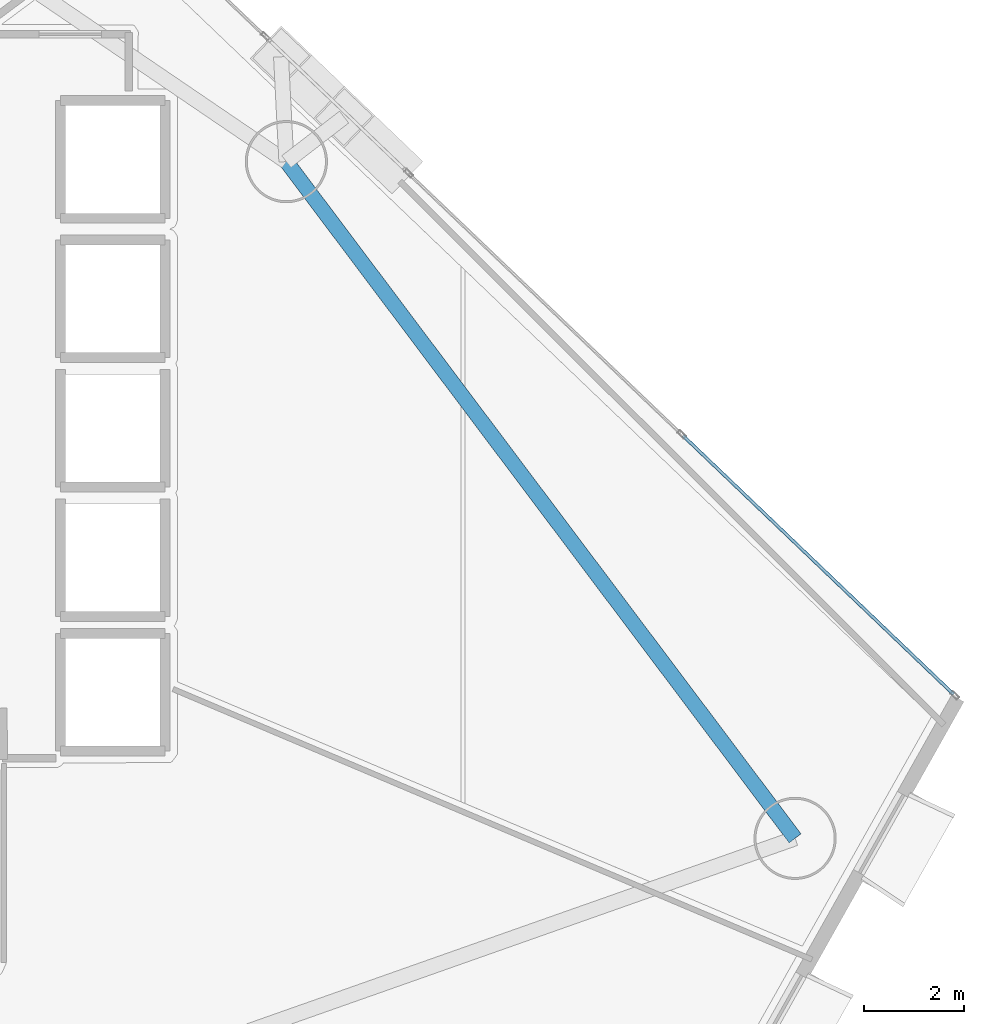
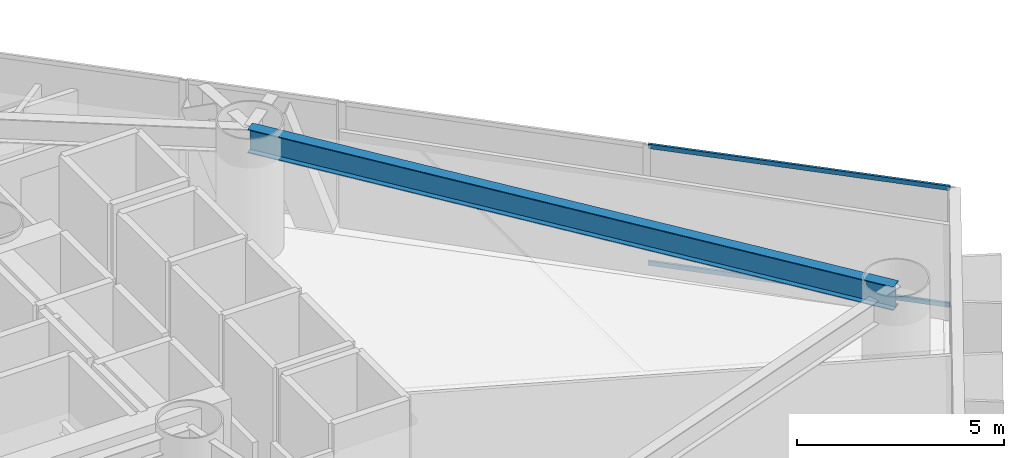
# One storey, part 14 of 23: 2 members, 1 beam, 1 element without a shape of its own.
"""IFC4 building model written with IfcOpenShell, lengths in metres."""

import ifcopenshell
import ifcopenshell.guid

model = None  # the IFC model being written
_history = None  # IfcOwnerHistory: only IFC2X3 demands one
_inside = {}  # id of a spatial element -> (the spatial element, [elements in it])
_under = {}  # id of a project, library or spatial element -> (it, [spatial elements below it])
_declared = {}  # id of a project -> (the project, [libraries it declares])
_typed = {}  # id of a type object -> (the type object, [elements of that type])
_made_of = {}  # id of a material, layer set ... -> (it, [elements and type objects made of it])


def new_model(schema):
    """Start an empty IFC model of exactly this schema.

    Asked for "IFC4X3", IfcOpenShell would pick the latest addendum, in which some entities
    have other attributes; the version numbers below select the first issue.
    IFC2X3 requires an IfcOwnerHistory on every rooted entity: one is made here for all.
    """
    global model, _history
    if schema == "IFC4X3":
        model = ifcopenshell.file(schema_version=(4, 3, 0, 0))
    else:
        model = ifcopenshell.file(schema=schema)
    _inside.clear()
    _under.clear()
    _declared.clear()
    _typed.clear()
    _made_of.clear()
    _history = None
    if model.schema == "IFC2X3":
        org = make("IfcOrganization", Name="unknown")
        user = make(
            "IfcPersonAndOrganization",
            ThePerson=make("IfcPerson", FamilyName="unknown"),
            TheOrganization=org,
        )
        app = make(
            "IfcApplication",
            ApplicationDeveloper=org,
            Version="unknown",
            ApplicationFullName="unknown",
            ApplicationIdentifier="unknown",
        )
        _history = make(
            "IfcOwnerHistory",
            OwningUser=user,
            OwningApplication=app,
            ChangeAction="ADDED",
            CreationDate=0,
        )
    return model


def make(cls, **values):
    """One entity of the class cls with the attributes given. An attribute that is None is left unset."""
    return model.create_entity(
        cls, **{name: value for name, value in values.items() if value is not None}
    )


def rooted(cls, **values):
    """An entity with a GlobalId (a new one), such as an element, a storey or a relation."""
    return make(cls, GlobalId=ifcopenshell.guid.new(), OwnerHistory=_history, **values)


def si_unit(unit_type, name, prefix=None):
    """IfcSIUnit, for example si_unit("LENGTHUNIT", "METRE", prefix="MILLI")."""
    return make("IfcSIUnit", UnitType=unit_type, Prefix=prefix, Name=name)


def assignment(units):
    """IfcUnitAssignment: the units of a project."""
    return None if units is None else make("IfcUnitAssignment", Units=units)


def point(xyz):
    """IfcCartesianPoint."""
    return None if xyz is None else make("IfcCartesianPoint", Coordinates=xyz)


def direction(xyz):
    """IfcDirection."""
    return None if xyz is None else make("IfcDirection", DirectionRatios=xyz)


def frame(location, z_axis=None, x_axis=None):
    """IfcAxis2Placement3D, a coordinate frame: its origin and axes. An axis left out is left unset."""
    return make(
        "IfcAxis2Placement3D",
        Location=point(location),
        Axis=direction(z_axis),
        RefDirection=direction(x_axis),
    )


def frame_2d(location, x_axis=None):
    """IfcAxis2Placement2D, a coordinate frame in the plane: its origin and x axis."""
    return make(
        "IfcAxis2Placement2D", Location=point(location), RefDirection=direction(x_axis)
    )


def origin():
    """The frame at (0, 0, 0) with its axes left unset."""
    return frame((0.0, 0.0, 0.0))


def origin_2d():
    """The frame at (0, 0) in the plane with its x axis left unset."""
    return frame_2d((0.0, 0.0))


def place(relative_to, where):
    """IfcLocalPlacement: puts the frame where relative to a parent placement (None: the world)."""
    return make(
        "IfcLocalPlacement", PlacementRelTo=relative_to, RelativePlacement=where
    )


def context(
    kind, dimensions, precision=None, world=None, true_north=None, identifier=None
):
    """IfcGeometricRepresentationContext, for example the 3D "Model" context."""
    return make(
        "IfcGeometricRepresentationContext",
        ContextIdentifier=identifier,
        ContextType=kind,
        CoordinateSpaceDimension=dimensions,
        Precision=precision,
        WorldCoordinateSystem=world,
        TrueNorth=true_north,
    )


def subcontext(parent, identifier, kind, view, scale=None):
    """IfcGeometricRepresentationSubContext, for example "Body" below "Model"."""
    return make(
        "IfcGeometricRepresentationSubContext",
        ContextIdentifier=identifier,
        ContextType=kind,
        ParentContext=parent,
        TargetScale=scale,
        TargetView=view,
    )


def project(units=None, contexts=None):
    """IfcProject with its units and contexts."""
    return rooted(
        "IfcProject",
        Name="project",
        RepresentationContexts=contexts,
        UnitsInContext=assignment(units),
    )


def spatial(cls, under=None, at=None, **own):
    """A site, building, storey or space (cls), placed at a placement, below another one or the project."""
    s = rooted(cls, ObjectPlacement=at, **own)
    if under is not None:
        _under.setdefault(under.id(), (under, []))[1].append(s)
    return s


def profile(cls, at=None, kind="AREA", **sizes):
    """A parametric profile (cls). Its sizes go by their IFC names, for example OverallWidth=200.0."""
    return make(cls, ProfileType=kind, Position=at, **sizes)


def hollow_rectangle(**sizes):
    """IfcRectangleHollowProfileDef."""
    return profile("IfcRectangleHollowProfileDef", **sizes)


def i_section(**sizes):
    """IfcIShapeProfileDef."""
    return profile("IfcIShapeProfileDef", **sizes)


def extrude(swept, where, along, depth):
    """IfcExtrudedAreaSolid: the profile swept, set in the frame where, extruded along a direction by depth."""
    return make(
        "IfcExtrudedAreaSolid",
        SweptArea=swept,
        Position=where,
        ExtrudedDirection=direction(along),
        Depth=depth,
    )


def shape(context_of_items, identifier, shape_type, items):
    """IfcShapeRepresentation: the items that make up one representation, for example the "Body"."""
    return make(
        "IfcShapeRepresentation",
        ContextOfItems=context_of_items,
        RepresentationIdentifier=identifier,
        RepresentationType=shape_type,
        Items=items,
    )


def material(Name=None, Category=None):
    """IfcMaterial."""
    return make("IfcMaterial", Name=Name, Category=Category)


def layer(
    of_material, thickness, ventilated=None, Name=None, Category=None, Priority=None
):
    """IfcMaterialLayer: one layer of a wall or slab, of a material (None: an air gap)."""
    return make(
        "IfcMaterialLayer",
        Material=of_material,
        LayerThickness=thickness,
        IsVentilated=ventilated,
        Name=Name,
        Category=Category,
        Priority=Priority,
    )


def layer_set(layers, Name=None):
    """IfcMaterialLayerSet."""
    return make("IfcMaterialLayerSet", MaterialLayers=layers, LayerSetName=Name)


def material_profile(
    of_material, cross_section, Name=None, Category=None, Priority=None
):
    """IfcMaterialProfile: a cross section and its material."""
    return make(
        "IfcMaterialProfile",
        Name=Name,
        Material=of_material,
        Profile=cross_section,
        Priority=Priority,
        Category=Category,
    )


def profile_set(profiles, Name=None, composite=None):
    """IfcMaterialProfileSet."""
    return make(
        "IfcMaterialProfileSet",
        Name=Name,
        MaterialProfiles=profiles,
        CompositeProfile=composite,
    )


def made_of(thing, what):
    """Note that an element or type object is made of a material, layer set ...; save() writes the relation."""
    if what is not None:
        _made_of.setdefault(what.id(), (what, []))[1].append(thing)
    return thing


def type_object(cls, material=None, **own):
    """A type object (cls), such as IfcWallType, which elements share."""
    return made_of(rooted(cls, **own), material)


def element(
    cls,
    number,
    at=None,
    inside=None,
    cuts=None,
    type_object=None,
    material=None,
    context=None,
    identifier="Body",
    shape_type=None,
    held_by="IfcProductDefinitionShape",
    body=None,
    shapes=None,
    **own,
):
    """One element of the class cls, such as IfcWall. Its Tag is "e" and its number.

    at: its placement. inside: the storey or other place that contains it. cuts: it is an
    opening in that element (IfcRelVoidsElement). A single representation is given by context,
    identifier, shape_type and body (its items); several are given by shapes. held_by: the class
    of the entity that holds the representations. save() writes the other relations.
    """
    e = rooted(cls, Tag="e%d" % number, ObjectPlacement=at, **own)
    if body is not None:
        shapes = [shape(context, identifier, shape_type, body)]
    if shapes is not None:
        e.Representation = make(held_by, Representations=shapes)
    if inside is not None:
        _inside.setdefault(inside.id(), (inside, []))[1].append(e)
    if cuts is not None:
        rooted(
            "IfcRelVoidsElement", RelatingBuildingElement=cuts, RelatedOpeningElement=e
        )
    if type_object is not None:
        _typed.setdefault(type_object.id(), (type_object, []))[1].append(e)
    return made_of(e, material)


def aggregate(whole, parts):
    """IfcRelAggregates: a whole, such as a stair, and the parts it consists of."""
    return rooted("IfcRelAggregates", RelatingObject=whole, RelatedObjects=parts)


def save(model, path):
    """Write the relations noted so far, then the file.

    IfcRelAggregates (storeys below a building ...), IfcRelContainedInSpatialStructure (elements
    in a storey), IfcRelDefinesByType, IfcRelAssociatesMaterial and IfcRelDeclares: one each for
    every whole, place, type object, material and project.
    """
    for whole, parts in _under.values():
        aggregate(whole, parts)
    for where, things in _inside.values():
        rooted(
            "IfcRelContainedInSpatialStructure",
            RelatedElements=things,
            RelatingStructure=where,
        )
    for kind, things in _typed.values():
        rooted("IfcRelDefinesByType", RelatedObjects=things, RelatingType=kind)
    for what, things in _made_of.values():
        rooted("IfcRelAssociatesMaterial", RelatedObjects=things, RelatingMaterial=what)
    for by, libraries in _declared.values():
        rooted("IfcRelDeclares", RelatingContext=by, RelatedDefinitions=libraries)
    model.write(path)


model = new_model("IFC4")

# Units and contexts
model_context = context("Model", 3, precision=1e-05, world=origin(), true_north=direction((0.0, 1.0)))
body_context = subcontext(model_context, "Body", "Model", "MODEL_VIEW")
ifc_project = project(units=[si_unit("LENGTHUNIT", "METRE"), si_unit("AREAUNIT", "SQUARE_METRE"), si_unit("VOLUMEUNIT", "CUBIC_METRE"), si_unit("PLANEANGLEUNIT", "RADIAN"), si_unit("MASSUNIT", "GRAM", prefix="KILO")], contexts=[model_context])

# Site, building, storey
site_placement = place(None, origin())
site = spatial("IfcSite", under=ifc_project, at=site_placement, CompositionType="ELEMENT")
building_placement = place(site_placement, origin())
building = spatial("IfcBuilding", under=site, at=building_placement, Name="Qianvela Tower", CompositionType="ELEMENT")
storey_placement = place(building_placement, frame((0.0, 0.0, 63.60009765625)))
storey = spatial("IfcBuildingStorey", under=building, at=storey_placement, Name="L15", CompositionType="ELEMENT", Elevation=63.60009765625)

# Beam
ifc_material_1 = material(Name="Steel Q355B", Category="steel")
ifc_material_profile_1 = material_profile(ifc_material_1, i_section(OverallWidth=0.300048828125, OverallDepth=0.699951171875, WebThickness=0.012939453125, FlangeThickness=0.02392578125, at=origin_2d()), Name="HN700x300x13x24")
ifc_profile_set_1 = profile_set([ifc_material_profile_1], Name="Steel Q355B")
beam_type = type_object("IfcBeamType", Name="BM-HN700-SPAND", PredefinedType="SPANDREL", material=ifc_profile_set_1)
beam_placement = place(storey_placement, frame((56.198974609375, 20.468017578125, 3.16796875), z_axis=(-0.600881979864, 0.799337754816, 0.0), x_axis=(-0.799337754816, -0.600881979864, 0.0)))
element("IfcBeam", 1, at=beam_placement, inside=storey, type_object=beam_type, Name="L15 Perimeter Ring Spandrel Girder 1", PredefinedType="SPANDREL", context=body_context, shape_type="SweptSolid", body=[
    extrude(i_section(OverallWidth=0.300048828125, OverallDepth=0.699951171875, WebThickness=0.012939453125, FlangeThickness=0.02392578125, at=origin_2d()), origin(), (0.0, 0.0, 1.0), 17.000244140625),
])

# Curtain wall, members
ifc_material_2 = material(Name="Anodised Architectural Aluminium and Low-E Glass", Category="aluminium")
ifc_layer = layer(ifc_material_2, 0.179931640625)
ifc_layer_set = layer_set([ifc_layer], Name="Anodised Architectural Aluminium and Low-E Glass")
curtain_wall_type = type_object("IfcCurtainWallType", Name="CW-COLIV-Z12", PredefinedType="USERDEFINED", material=ifc_layer_set)
curtain_wall_placement = place(storey_placement, origin())
curtain_wall = element("IfcCurtainWall", 2, at=curtain_wall_placement, inside=storey, type_object=curtain_wall_type, Name="L15 CW-COLIV-Z12 Curtain Wall 02A", ObjectType="CURTAIN_WALL_SYSTEM", PredefinedType="USERDEFINED")
ifc_material_3 = material(Name="Anodised Architectural Aluminium 6063-T6", Category="aluminium")
ifc_material_profile_2 = material_profile(ifc_material_3, hollow_rectangle(XDim=0.06494140625, YDim=0.1298828125, WallThickness=0.00439453125, at=origin_2d()), Name="ALU-TRAN-65x130")
ifc_profile_set_2 = profile_set([ifc_material_profile_2], Name="Anodised Architectural Aluminium 6063-T6")
member_type = type_object("IfcMemberType", Name="CW-COLIV-Z12-TRAN", PredefinedType="USERDEFINED", material=ifc_profile_set_2)
member_1_placement = place(storey_placement, frame((59.3798828125, 23.36279296875, 0.032470703125), z_axis=(-0.722814695064, 0.691041906544, 0.0), x_axis=(-0.691041906544, -0.722814695064, 0.0)))
member_1 = element("IfcMember", 3, at=member_1_placement, type_object=member_type, Name="CW-3 transom 1.1", ObjectType="TRANSOM", PredefinedType="USERDEFINED", context=body_context, shape_type="SweptSolid", body=[
    extrude(hollow_rectangle(XDim=0.06494140625, YDim=0.1298828125, WallThickness=0.00439453125, at=origin_2d()), origin(), (0.0, 0.0, 1.0), 7.514892578125),
])
member_2_placement = place(storey_placement, frame((59.3798828125, 23.36279296875, 3.4873046875), z_axis=(-0.722814695064, 0.691041906544, 0.0), x_axis=(-0.691041906544, -0.722814695064, 0.0)))
member_2 = element("IfcMember", 4, at=member_2_placement, type_object=member_type, Name="CW-3 transom 1.2", ObjectType="TRANSOM", PredefinedType="USERDEFINED", context=body_context, shape_type="SweptSolid", body=[
    extrude(hollow_rectangle(XDim=0.06494140625, YDim=0.1298828125, WallThickness=0.00439453125, at=origin_2d()), origin(), (0.0, 0.0, 1.0), 7.514892578125),
])
aggregate(curtain_wall, [member_1, member_2])

save(model, "model.ifc")
